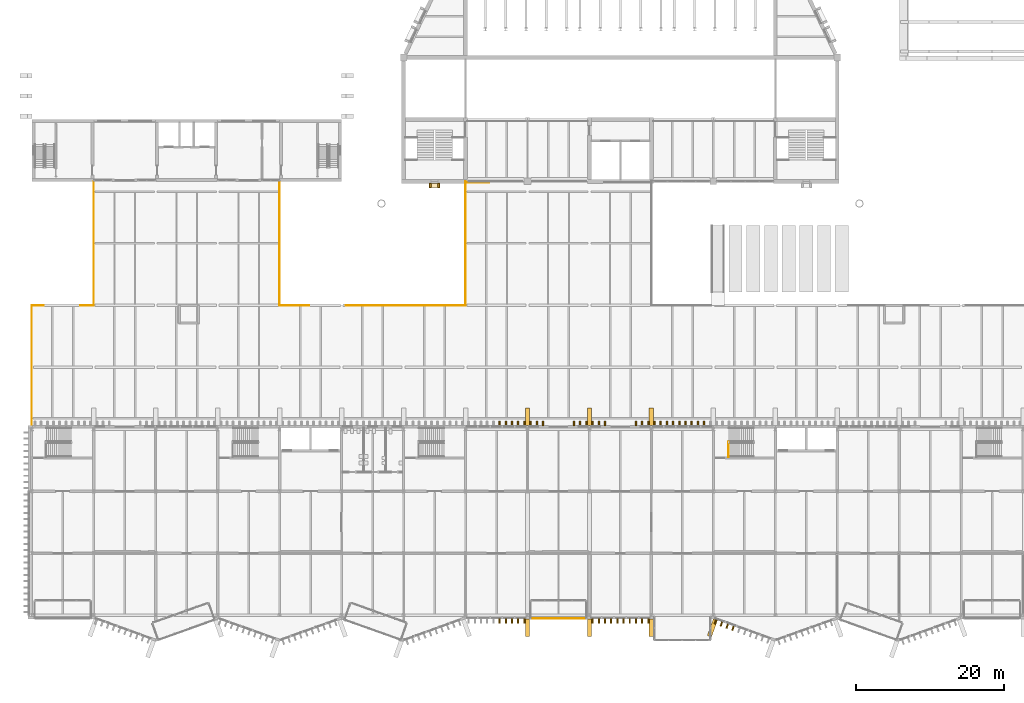
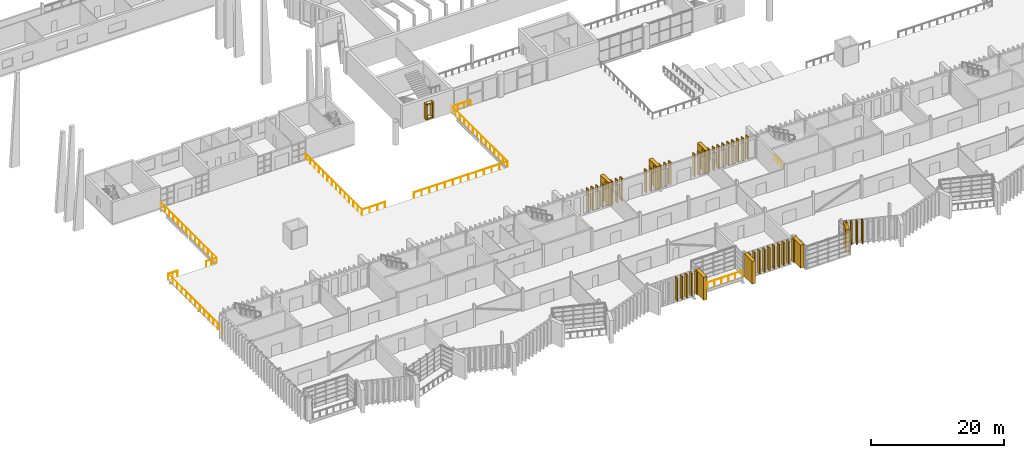
# One storey, part 82 of 96: 56 coverings, 11 railings.
"""IFC4 building model written with IfcOpenShell, lengths in metres."""

from ifc_helpers import new_model, si_unit, direction, frame, origin, origin_2d, place, context, subcontext, project, spatial, rectangle, circle, extrude, material, type_object, element, save


model = new_model("IFC4")

# Units and contexts
model_context = context("Model", 3, precision=1e-05, world=origin(), true_north=direction((0.0, 1.0)))
body_context = subcontext(model_context, "Body", "Model", "MODEL_VIEW")
ifc_project = project(units=[si_unit("LENGTHUNIT", "METRE"), si_unit("AREAUNIT", "SQUARE_METRE"), si_unit("VOLUMEUNIT", "CUBIC_METRE"), si_unit("PLANEANGLEUNIT", "RADIAN"), si_unit("MASSUNIT", "GRAM", prefix="KILO")], contexts=[model_context])

# Site, building, storey
site_placement = place(None, origin())
site = spatial("IfcSite", under=ifc_project, at=site_placement, CompositionType="ELEMENT")
building_placement = place(site_placement, origin())
building = spatial("IfcBuilding", under=site, at=building_placement, Name="Cresset Court Congress Hotel", CompositionType="ELEMENT")
storey_placement = place(building_placement, frame((0.0, 0.0, 6.0)))
storey = spatial("IfcBuildingStorey", under=building, at=storey_placement, Name="L01", CompositionType="ELEMENT", Elevation=6.0)

# Railings
ifc_material_1 = material(Name="Steel and laminated glass", Category="steel")
railing_type_1 = type_object("IfcRailingType", Name="Guard 1100 steel and glass", PredefinedType="GUARDRAIL", material=ifc_material_1)
railing_1_placement = place(storey_placement, frame((102.85009765625, 21.449951171875, 0.0)))
element("IfcRailing", 1, at=railing_1_placement, inside=storey, type_object=railing_type_1, Name="L01 ST-B4 stair guard 5", PredefinedType="GUARDRAIL", context=body_context, shape_type="SweptSolid", body=[
    extrude(circle(Radius=0.02392578125, at=origin_2d()), frame((0.0, 0.0, 1.076171875), z_axis=(0.0, 1.0, 0.0), x_axis=(-1.0, 0.0, 0.0)), (0.0, 0.0, 1.0), 2.050048828125),
    extrude(circle(Radius=0.02099609375, at=origin_2d()), origin(), (0.0, 0.0, 1.0), 1.052001953125),
    extrude(circle(Radius=0.02099609375, at=origin_2d()), frame((0.0, 1.02490234375, 0.0)), (0.0, 0.0, 1.0), 1.052001953125),
    extrude(circle(Radius=0.02099609375, at=origin_2d()), frame((0.0, 2.050048828125, 0.0)), (0.0, 0.0, 1.0), 1.052001953125),
])
ifc_material_2 = material(Name="Steel and laminated glass", Category="steel")
railing_type_2 = type_object("IfcRailingType", Name="Guard 1100 steel and glass external", PredefinedType="GUARDRAIL", material=ifc_material_2)
railing_2_placement = place(storey_placement, frame((8.39990234375, 42.0, 0.0)))
element("IfcRailing", 2, at=railing_2_placement, inside=storey, type_object=railing_type_2, Name="Deck guard 01", PredefinedType="GUARDRAIL", context=body_context, shape_type="SweptSolid", body=[
    extrude(circle(Radius=0.02490234375, at=origin_2d()), frame((0.0, 0.0, 1.0751953125), z_axis=(1.0, 0.0, 0.0), x_axis=(0.0, 1.0, 0.0)), (0.0, 0.0, 1.0), 1.60009765625),
    extrude(circle(Radius=0.02001953125, at=origin_2d()), origin(), (0.0, 0.0, 1.0), 1.050048828125),
    extrude(circle(Radius=0.02001953125, at=origin_2d()), frame((0.800048828125, 0.0, 0.0)), (0.0, 0.0, 1.0), 1.050048828125),
    extrude(circle(Radius=0.02001953125, at=origin_2d()), frame((1.60009765625, 0.0, 0.0)), (0.0, 0.0, 1.0), 1.050048828125),
])
railing_3_placement = place(storey_placement, frame((15.0, 42.0, 0.0)))
element("IfcRailing", 3, at=railing_3_placement, inside=storey, type_object=railing_type_2, Name="Deck guard 02", PredefinedType="GUARDRAIL", context=body_context, shape_type="SweptSolid", body=[
    extrude(circle(Radius=0.02490234375, at=origin_2d()), frame((0.0, 0.0, 1.0751953125), z_axis=(1.0, 0.0, 0.0), x_axis=(0.0, 1.0, 0.0)), (0.0, 0.0, 1.0), 1.800048828125),
    extrude(circle(Radius=0.02001953125, at=origin_2d()), origin(), (0.0, 0.0, 1.0), 1.050048828125),
    extrude(circle(Radius=0.02001953125, at=origin_2d()), frame((0.89990234375, 0.0, 0.0)), (0.0, 0.0, 1.0), 1.050048828125),
    extrude(circle(Radius=0.02001953125, at=origin_2d()), frame((1.800048828125, 0.0, 0.0)), (0.0, 0.0, 1.0), 1.050048828125),
])
railing_4_placement = place(storey_placement, frame((42.0, 42.0, 0.0)))
element("IfcRailing", 4, at=railing_4_placement, inside=storey, type_object=railing_type_2, Name="Deck guard 03", PredefinedType="GUARDRAIL", context=body_context, shape_type="SweptSolid", body=[
    extrude(circle(Radius=0.02490234375, at=origin_2d()), frame((0.0, 0.0, 1.0751953125), z_axis=(1.0, 0.0, 0.0), x_axis=(0.0, 1.0, 0.0)), (0.0, 0.0, 1.0), 4.0),
    extrude(circle(Radius=0.02001953125, at=origin_2d()), origin(), (0.0, 0.0, 1.0), 1.050048828125),
    extrude(circle(Radius=0.02001953125, at=origin_2d()), frame((1.333251953125, 0.0, 0.0)), (0.0, 0.0, 1.0), 1.050048828125),
    extrude(circle(Radius=0.02001953125, at=origin_2d()), frame((2.666748046875, 0.0, 0.0)), (0.0, 0.0, 1.0), 1.050048828125),
    extrude(circle(Radius=0.02001953125, at=origin_2d()), frame((4.0, 0.0, 0.0)), (0.0, 0.0, 1.0), 1.050048828125),
])
railing_5_placement = place(storey_placement, frame((51.0, 42.0, 0.0)))
element("IfcRailing", 5, at=railing_5_placement, inside=storey, type_object=railing_type_2, Name="Deck guard 04", PredefinedType="GUARDRAIL", context=body_context, shape_type="SweptSolid", body=[
    extrude(circle(Radius=0.02490234375, at=origin_2d()), frame((0.0, 0.0, 1.0751953125), z_axis=(1.0, 0.0, 0.0), x_axis=(0.0, 1.0, 0.0)), (0.0, 0.0, 1.0), 16.199951171875),
    extrude(circle(Radius=0.02001953125, at=origin_2d()), origin(), (0.0, 0.0, 1.0), 1.050048828125),
    extrude(circle(Radius=0.02001953125, at=origin_2d()), frame((1.35009765625, 0.0, 0.0)), (0.0, 0.0, 1.0), 1.050048828125),
    extrude(circle(Radius=0.02001953125, at=origin_2d()), frame((2.699951171875, 0.0, 0.0)), (0.0, 0.0, 1.0), 1.050048828125),
    extrude(circle(Radius=0.02001953125, at=origin_2d()), frame((4.050048828125, 0.0, 0.0)), (0.0, 0.0, 1.0), 1.050048828125),
    extrude(circle(Radius=0.02001953125, at=origin_2d()), frame((5.39990234375, 0.0, 0.0)), (0.0, 0.0, 1.0), 1.050048828125),
    extrude(circle(Radius=0.02001953125, at=origin_2d()), frame((6.75, 0.0, 0.0)), (0.0, 0.0, 1.0), 1.050048828125),
    extrude(circle(Radius=0.02001953125, at=origin_2d()), frame((8.10009765625, 0.0, 0.0)), (0.0, 0.0, 1.0), 1.050048828125),
    extrude(circle(Radius=0.02001953125, at=origin_2d()), frame((9.449951171875, 0.0, 0.0)), (0.0, 0.0, 1.0), 1.050048828125),
    extrude(circle(Radius=0.02001953125, at=origin_2d()), frame((10.800048828125, 0.0, 0.0)), (0.0, 0.0, 1.0), 1.050048828125),
    extrude(circle(Radius=0.02001953125, at=origin_2d()), frame((12.14990234375, 0.0, 0.0)), (0.0, 0.0, 1.0), 1.050048828125),
    extrude(circle(Radius=0.02001953125, at=origin_2d()), frame((13.5, 0.0, 0.0)), (0.0, 0.0, 1.0), 1.050048828125),
    extrude(circle(Radius=0.02001953125, at=origin_2d()), frame((14.849853515625, 0.0, 0.0)), (0.0, 0.0, 1.0), 1.050048828125),
    extrude(circle(Radius=0.02001953125, at=origin_2d()), frame((16.199951171875, 0.0, 0.0)), (0.0, 0.0, 1.0), 1.050048828125),
])
railing_6_placement = place(storey_placement, frame((8.39990234375, 42.0, 0.0)))
element("IfcRailing", 6, at=railing_6_placement, inside=storey, type_object=railing_type_2, Name="Deck guard 10", PredefinedType="GUARDRAIL", context=body_context, shape_type="SweptSolid", body=[
    extrude(circle(Radius=0.02490234375, at=origin_2d()), frame((0.0, 0.0, 1.0751953125), z_axis=(0.0, -1.0, 0.0), x_axis=(1.0, 0.0, 0.0)), (0.0, 0.0, 1.0), 16.300048828125),
    extrude(circle(Radius=0.02001953125, at=origin_2d()), origin(), (0.0, 0.0, 1.0), 1.050048828125),
    extrude(circle(Radius=0.02001953125, at=origin_2d()), frame((0.0, -1.3583984375, 0.0)), (0.0, 0.0, 1.0), 1.050048828125),
    extrude(circle(Radius=0.02001953125, at=origin_2d()), frame((0.0, -2.716796875, 0.0)), (0.0, 0.0, 1.0), 1.050048828125),
    extrude(circle(Radius=0.02001953125, at=origin_2d()), frame((0.0, -4.074951171875, 0.0)), (0.0, 0.0, 1.0), 1.050048828125),
    extrude(circle(Radius=0.02001953125, at=origin_2d()), frame((0.0, -5.433349609375, 0.0)), (0.0, 0.0, 1.0), 1.050048828125),
    extrude(circle(Radius=0.02001953125, at=origin_2d()), frame((0.0, -6.791748046875, 0.0)), (0.0, 0.0, 1.0), 1.050048828125),
    extrude(circle(Radius=0.02001953125, at=origin_2d()), frame((0.0, -8.14990234375, 0.0)), (0.0, 0.0, 1.0), 1.050048828125),
    extrude(circle(Radius=0.02001953125, at=origin_2d()), frame((0.0, -9.50830078125, 0.0)), (0.0, 0.0, 1.0), 1.050048828125),
    extrude(circle(Radius=0.02001953125, at=origin_2d()), frame((0.0, -10.86669921875, 0.0)), (0.0, 0.0, 1.0), 1.050048828125),
    extrude(circle(Radius=0.02001953125, at=origin_2d()), frame((0.0, -12.22509765625, 0.0)), (0.0, 0.0, 1.0), 1.050048828125),
    extrude(circle(Radius=0.02001953125, at=origin_2d()), frame((0.0, -13.58349609375, 0.0)), (0.0, 0.0, 1.0), 1.050048828125),
    extrude(circle(Radius=0.02001953125, at=origin_2d()), frame((0.0, -14.941650390625, 0.0)), (0.0, 0.0, 1.0), 1.050048828125),
    extrude(circle(Radius=0.02001953125, at=origin_2d()), frame((0.0, -16.300048828125, 0.0)), (0.0, 0.0, 1.0), 1.050048828125),
])
railing_7_placement = place(storey_placement, frame((16.800048828125, 42.0, 0.0)))
element("IfcRailing", 7, at=railing_7_placement, inside=storey, type_object=railing_type_2, Name="Deck guard 11", PredefinedType="GUARDRAIL", context=body_context, shape_type="SweptSolid", body=[
    extrude(circle(Radius=0.02490234375, at=origin_2d()), frame((0.0, 0.0, 1.0751953125), z_axis=(0.0, 1.0, 0.0), x_axis=(-1.0, 0.0, 0.0)), (0.0, 0.0, 1.0), 16.800048828125),
    extrude(circle(Radius=0.02001953125, at=origin_2d()), origin(), (0.0, 0.0, 1.0), 1.050048828125),
    extrude(circle(Radius=0.02001953125, at=origin_2d()), frame((0.0, 1.292236328125, 0.0)), (0.0, 0.0, 1.0), 1.050048828125),
    extrude(circle(Radius=0.02001953125, at=origin_2d()), frame((0.0, 2.584716796875, 0.0)), (0.0, 0.0, 1.0), 1.050048828125),
    extrude(circle(Radius=0.02001953125, at=origin_2d()), frame((0.0, 3.876953125, 0.0)), (0.0, 0.0, 1.0), 1.050048828125),
    extrude(circle(Radius=0.02001953125, at=origin_2d()), frame((0.0, 5.169189453125, 0.0)), (0.0, 0.0, 1.0), 1.050048828125),
    extrude(circle(Radius=0.02001953125, at=origin_2d()), frame((0.0, 6.461669921875, 0.0)), (0.0, 0.0, 1.0), 1.050048828125),
    extrude(circle(Radius=0.02001953125, at=origin_2d()), frame((0.0, 7.75390625, 0.0)), (0.0, 0.0, 1.0), 1.050048828125),
    extrude(circle(Radius=0.02001953125, at=origin_2d()), frame((0.0, 9.046142578125, 0.0)), (0.0, 0.0, 1.0), 1.050048828125),
    extrude(circle(Radius=0.02001953125, at=origin_2d()), frame((0.0, 10.33837890625, 0.0)), (0.0, 0.0, 1.0), 1.050048828125),
    extrude(circle(Radius=0.02001953125, at=origin_2d()), frame((0.0, 11.630859375, 0.0)), (0.0, 0.0, 1.0), 1.050048828125),
    extrude(circle(Radius=0.02001953125, at=origin_2d()), frame((0.0, 12.923095703125, 0.0)), (0.0, 0.0, 1.0), 1.050048828125),
    extrude(circle(Radius=0.02001953125, at=origin_2d()), frame((0.0, 14.21533203125, 0.0)), (0.0, 0.0, 1.0), 1.050048828125),
    extrude(circle(Radius=0.02001953125, at=origin_2d()), frame((0.0, 15.5078125, 0.0)), (0.0, 0.0, 1.0), 1.050048828125),
    extrude(circle(Radius=0.02001953125, at=origin_2d()), frame((0.0, 16.800048828125, 0.0)), (0.0, 0.0, 1.0), 1.050048828125),
])
railing_8_placement = place(storey_placement, frame((42.0, 42.0, 0.0)))
element("IfcRailing", 8, at=railing_8_placement, inside=storey, type_object=railing_type_2, Name="Deck guard 12", PredefinedType="GUARDRAIL", context=body_context, shape_type="SweptSolid", body=[
    extrude(circle(Radius=0.02490234375, at=origin_2d()), frame((0.0, 0.0, 1.0751953125), z_axis=(0.0, 1.0, 0.0), x_axis=(-1.0, 0.0, 0.0)), (0.0, 0.0, 1.0), 16.800048828125),
    extrude(circle(Radius=0.02001953125, at=origin_2d()), origin(), (0.0, 0.0, 1.0), 1.050048828125),
    extrude(circle(Radius=0.02001953125, at=origin_2d()), frame((0.0, 1.292236328125, 0.0)), (0.0, 0.0, 1.0), 1.050048828125),
    extrude(circle(Radius=0.02001953125, at=origin_2d()), frame((0.0, 2.584716796875, 0.0)), (0.0, 0.0, 1.0), 1.050048828125),
    extrude(circle(Radius=0.02001953125, at=origin_2d()), frame((0.0, 3.876953125, 0.0)), (0.0, 0.0, 1.0), 1.050048828125),
    extrude(circle(Radius=0.02001953125, at=origin_2d()), frame((0.0, 5.169189453125, 0.0)), (0.0, 0.0, 1.0), 1.050048828125),
    extrude(circle(Radius=0.02001953125, at=origin_2d()), frame((0.0, 6.461669921875, 0.0)), (0.0, 0.0, 1.0), 1.050048828125),
    extrude(circle(Radius=0.02001953125, at=origin_2d()), frame((0.0, 7.75390625, 0.0)), (0.0, 0.0, 1.0), 1.050048828125),
    extrude(circle(Radius=0.02001953125, at=origin_2d()), frame((0.0, 9.046142578125, 0.0)), (0.0, 0.0, 1.0), 1.050048828125),
    extrude(circle(Radius=0.02001953125, at=origin_2d()), frame((0.0, 10.33837890625, 0.0)), (0.0, 0.0, 1.0), 1.050048828125),
    extrude(circle(Radius=0.02001953125, at=origin_2d()), frame((0.0, 11.630859375, 0.0)), (0.0, 0.0, 1.0), 1.050048828125),
    extrude(circle(Radius=0.02001953125, at=origin_2d()), frame((0.0, 12.923095703125, 0.0)), (0.0, 0.0, 1.0), 1.050048828125),
    extrude(circle(Radius=0.02001953125, at=origin_2d()), frame((0.0, 14.21533203125, 0.0)), (0.0, 0.0, 1.0), 1.050048828125),
    extrude(circle(Radius=0.02001953125, at=origin_2d()), frame((0.0, 15.5078125, 0.0)), (0.0, 0.0, 1.0), 1.050048828125),
    extrude(circle(Radius=0.02001953125, at=origin_2d()), frame((0.0, 16.800048828125, 0.0)), (0.0, 0.0, 1.0), 1.050048828125),
])
railing_9_placement = place(storey_placement, frame((67.199951171875, 42.0, 0.0)))
element("IfcRailing", 9, at=railing_9_placement, inside=storey, type_object=railing_type_2, Name="Deck guard 13", PredefinedType="GUARDRAIL", context=body_context, shape_type="SweptSolid", body=[
    extrude(circle(Radius=0.02490234375, at=origin_2d()), frame((0.0, 0.0, 1.0751953125), z_axis=(0.0, 1.0, 0.0), x_axis=(-1.0, 0.0, 0.0)), (0.0, 0.0, 1.0), 16.800048828125),
    extrude(circle(Radius=0.02001953125, at=origin_2d()), origin(), (0.0, 0.0, 1.0), 1.050048828125),
    extrude(circle(Radius=0.02001953125, at=origin_2d()), frame((0.0, 1.292236328125, 0.0)), (0.0, 0.0, 1.0), 1.050048828125),
    extrude(circle(Radius=0.02001953125, at=origin_2d()), frame((0.0, 2.584716796875, 0.0)), (0.0, 0.0, 1.0), 1.050048828125),
    extrude(circle(Radius=0.02001953125, at=origin_2d()), frame((0.0, 3.876953125, 0.0)), (0.0, 0.0, 1.0), 1.050048828125),
    extrude(circle(Radius=0.02001953125, at=origin_2d()), frame((0.0, 5.169189453125, 0.0)), (0.0, 0.0, 1.0), 1.050048828125),
    extrude(circle(Radius=0.02001953125, at=origin_2d()), frame((0.0, 6.461669921875, 0.0)), (0.0, 0.0, 1.0), 1.050048828125),
    extrude(circle(Radius=0.02001953125, at=origin_2d()), frame((0.0, 7.75390625, 0.0)), (0.0, 0.0, 1.0), 1.050048828125),
    extrude(circle(Radius=0.02001953125, at=origin_2d()), frame((0.0, 9.046142578125, 0.0)), (0.0, 0.0, 1.0), 1.050048828125),
    extrude(circle(Radius=0.02001953125, at=origin_2d()), frame((0.0, 10.33837890625, 0.0)), (0.0, 0.0, 1.0), 1.050048828125),
    extrude(circle(Radius=0.02001953125, at=origin_2d()), frame((0.0, 11.630859375, 0.0)), (0.0, 0.0, 1.0), 1.050048828125),
    extrude(circle(Radius=0.02001953125, at=origin_2d()), frame((0.0, 12.923095703125, 0.0)), (0.0, 0.0, 1.0), 1.050048828125),
    extrude(circle(Radius=0.02001953125, at=origin_2d()), frame((0.0, 14.21533203125, 0.0)), (0.0, 0.0, 1.0), 1.050048828125),
    extrude(circle(Radius=0.02001953125, at=origin_2d()), frame((0.0, 15.5078125, 0.0)), (0.0, 0.0, 1.0), 1.050048828125),
    extrude(circle(Radius=0.02001953125, at=origin_2d()), frame((0.0, 16.800048828125, 0.0)), (0.0, 0.0, 1.0), 1.050048828125),
])
railing_10_placement = place(storey_placement, frame((67.199951171875, 58.800048828125, 0.0)))
element("IfcRailing", 10, at=railing_10_placement, inside=storey, type_object=railing_type_2, Name="Deck guard 15", PredefinedType="GUARDRAIL", context=body_context, shape_type="SweptSolid", body=[
    extrude(circle(Radius=0.02490234375, at=origin_2d()), frame((0.0, 0.0, 1.0751953125), z_axis=(0.0, -1.0, 0.0), x_axis=(1.0, 0.0, 0.0)), (0.0, 0.0, 1.0), 0.150146484375),
    extrude(circle(Radius=0.02490234375, at=origin_2d()), frame((0.0, -0.150146484375, 1.0751953125), z_axis=(1.0, 0.0, 0.0), x_axis=(0.0, 1.0, 0.0)), (0.0, 0.0, 1.0), 3.199951171875),
    extrude(circle(Radius=0.02001953125, at=origin_2d()), origin(), (0.0, 0.0, 1.0), 1.050048828125),
    extrude(circle(Radius=0.02001953125, at=origin_2d()), frame((0.0, -0.150146484375, 0.0)), (0.0, 0.0, 1.0), 1.050048828125),
    extrude(circle(Radius=0.02001953125, at=origin_2d()), frame((1.066650390625, -0.150146484375, 0.0)), (0.0, 0.0, 1.0), 1.050048828125),
    extrude(circle(Radius=0.02001953125, at=origin_2d()), frame((2.13330078125, -0.150146484375, 0.0)), (0.0, 0.0, 1.0), 1.050048828125),
    extrude(circle(Radius=0.02001953125, at=origin_2d()), frame((3.199951171875, -0.150146484375, 0.0)), (0.0, 0.0, 1.0), 1.050048828125),
])
railing_11_placement = place(storey_placement, frame((76.199951171875, -0.449951171875, 0.0)))
element("IfcRailing", 11, at=railing_11_placement, inside=storey, type_object=railing_type_2, Name="Guard to recess S0109", PredefinedType="GUARDRAIL", context=body_context, shape_type="SweptSolid", body=[
    extrude(circle(Radius=0.02392578125, at=origin_2d()), frame((0.0, 0.0, 1.076171875), z_axis=(1.0, 0.0, 0.0), x_axis=(0.0, 1.0, 0.0)), (0.0, 0.0, 1.0), 7.199951171875),
    extrude(circle(Radius=0.02099609375, at=origin_2d()), origin(), (0.0, 0.0, 1.0), 1.052001953125),
    extrude(circle(Radius=0.02099609375, at=origin_2d()), frame((1.199951171875, 0.0, 0.0)), (0.0, 0.0, 1.0), 1.052001953125),
    extrude(circle(Radius=0.02099609375, at=origin_2d()), frame((2.39990234375, 0.0, 0.0)), (0.0, 0.0, 1.0), 1.052001953125),
    extrude(circle(Radius=0.02099609375, at=origin_2d()), frame((3.60009765625, 0.0, 0.0)), (0.0, 0.0, 1.0), 1.052001953125),
    extrude(circle(Radius=0.02099609375, at=origin_2d()), frame((4.800048828125, 0.0, 0.0)), (0.0, 0.0, 1.0), 1.052001953125),
    extrude(circle(Radius=0.02099609375, at=origin_2d()), frame((6.0, 0.0, 0.0)), (0.0, 0.0, 1.0), 1.052001953125),
    extrude(circle(Radius=0.02099609375, at=origin_2d()), frame((7.199951171875, 0.0, 0.0)), (0.0, 0.0, 1.0), 1.052001953125),
])

# Coverings
ifc_material_3 = material(Name="Precast concrete C50", Category="concrete")
covering_type_1 = type_object("IfcCoveringType", Name="Precast reveal frame member 250x600", PredefinedType="CLADDING", material=ifc_material_3)
for number, where, z_axis, x_axis, name in (
    (12, (63.574951171875, 58.25, 0.650146484375), (0.0, 0.0, 1.0), (1.0, 0.0, 0.0), "Reveal frame NC-01-C1a"),
    (13, (62.425048828125, 58.25, 0.650146484375), (0.0, 0.0, 1.0), (1.0, 0.0, 0.0), "Reveal frame NC-01-C1b"),
):
    element("IfcCovering", number, at=place(storey_placement, frame(where, z_axis=z_axis, x_axis=x_axis)), inside=storey, type_object=covering_type_1, Name=name, PredefinedType="CLADDING", context=body_context, shape_type="SweptSolid", body=[
        extrude(rectangle(XDim=0.25, YDim=0.60009765625, at=origin_2d()), origin(), (0.0, 0.0, 1.0), 2.89990234375),
    ])
for number, where, z_axis, x_axis, name in (
    (14, (63.0, 58.25, 3.300048828125), (0.0, 0.0, 1.0), (1.0, 0.0, 0.0), "Reveal frame NC-01-C1c"),
    (15, (63.0, 58.25, 0.64990234375), (0.0, 0.0, 1.0), (1.0, 0.0, 0.0), "Reveal frame NC-01-C1d"),
):
    element("IfcCovering", number, at=place(storey_placement, frame(where, z_axis=z_axis, x_axis=x_axis)), inside=storey, type_object=covering_type_1, Name=name, PredefinedType="CLADDING", context=body_context, shape_type="SweptSolid", body=[
        extrude(rectangle(XDim=0.89990234375, YDim=0.60009765625, at=origin_2d()), origin(), (0.0, 0.0, 1.0), 0.25),
    ])
ifc_material_4 = material(Name="Precast concrete C50", Category="concrete")
covering_type_2 = type_object("IfcCoveringType", Name="Precast stone fin 200x600 variant 1", PredefinedType="CLADDING", material=ifc_material_4)
for number, where, z_axis, x_axis, name in (
    (16, (101.09228515625, -0.92529296875, 0.0), (0.0, 0.0, 1.0), (0.939956783309, -0.341293488819, 0.0), "Fin S01-110"),
    (17, (101.8818359375, -1.2119140625, 0.0), (0.0, 0.0, 1.0), (0.939956783309, -0.341293488819, 0.0), "Fin S01-111"),
    (18, (102.671630859375, -1.498779296875, 0.0), (0.0, 0.0, 1.0), (0.939956783309, -0.341293488819, 0.0), "Fin S01-112"),
    (19, (103.461181640625, -1.785400390625, 0.0), (0.0, 0.0, 1.0), (0.939956783309, -0.341293488819, 0.0), "Fin S01-113"),
    (20, (71.820068359375, -0.800048828125, 0.0), (0.0, 0.0, 1.0), (1.0, 0.0, 0.0), "Fin S01-075"),
    (21, (72.659912109375, -0.800048828125, 0.0), (0.0, 0.0, 1.0), (1.0, 0.0, 0.0), "Fin S01-076"),
    (22, (73.5, -0.800048828125, 0.0), (0.0, 0.0, 1.0), (1.0, 0.0, 0.0), "Fin S01-077"),
    (23, (74.340087890625, -0.800048828125, 0.0), (0.0, 0.0, 1.0), (1.0, 0.0, 0.0), "Fin S01-078"),
    (24, (75.179931640625, -0.800048828125, 0.0), (0.0, 0.0, 1.0), (1.0, 0.0, 0.0), "Fin S01-079"),
    (25, (84.419921875, -0.800048828125, 0.0), (0.0, 0.0, 1.0), (1.0, 0.0, 0.0), "Fin S01-090"),
    (26, (85.260009765625, -0.800048828125, 0.0), (0.0, 0.0, 1.0), (1.0, 0.0, 0.0), "Fin S01-091"),
    (27, (86.10009765625, -0.800048828125, 0.0), (0.0, 0.0, 1.0), (1.0, 0.0, 0.0), "Fin S01-092"),
    (28, (86.93994140625, -0.800048828125, 0.0), (0.0, 0.0, 1.0), (1.0, 0.0, 0.0), "Fin S01-093"),
    (29, (87.780029296875, -0.800048828125, 0.0), (0.0, 0.0, 1.0), (1.0, 0.0, 0.0), "Fin S01-094"),
    (30, (88.6201171875, -0.800048828125, 0.0), (0.0, 0.0, 1.0), (1.0, 0.0, 0.0), "Fin S01-095"),
    (31, (89.4599609375, -0.800048828125, 0.0), (0.0, 0.0, 1.0), (1.0, 0.0, 0.0), "Fin S01-096"),
    (32, (90.300048828125, -0.800048828125, 0.0), (0.0, 0.0, 1.0), (1.0, 0.0, 0.0), "Fin S01-097"),
    (33, (91.139892578125, -0.800048828125, 0.0), (0.0, 0.0, 1.0), (1.0, 0.0, 0.0), "Fin S01-098"),
    (34, (91.97998046875, -0.800048828125, 0.0), (0.0, 0.0, 1.0), (1.0, 0.0, 0.0), "Fin S01-099"),
    (35, (71.820068359375, 26.0, 0.0), (0.0, 0.0, 1.0), (1.0, 0.0, 0.0), "Fin N01-075"),
    (36, (72.659912109375, 26.0, 0.0), (0.0, 0.0, 1.0), (1.0, 0.0, 0.0), "Fin N01-076"),
    (37, (73.5, 26.0, 0.0), (0.0, 0.0, 1.0), (1.0, 0.0, 0.0), "Fin N01-077"),
    (38, (74.340087890625, 26.0, 0.0), (0.0, 0.0, 1.0), (1.0, 0.0, 0.0), "Fin N01-078"),
    (39, (75.179931640625, 26.0, 0.0), (0.0, 0.0, 1.0), (1.0, 0.0, 0.0), "Fin N01-079"),
    (40, (76.02001953125, 26.0, 0.0), (0.0, 0.0, 1.0), (1.0, 0.0, 0.0), "Fin N01-080"),
    (41, (76.860107421875, 26.0, 0.0), (0.0, 0.0, 1.0), (1.0, 0.0, 0.0), "Fin N01-081"),
    (42, (77.699951171875, 26.0, 0.0), (0.0, 0.0, 1.0), (1.0, 0.0, 0.0), "Fin N01-082"),
    (43, (81.89990234375, 26.0, 0.0), (0.0, 0.0, 1.0), (1.0, 0.0, 0.0), "Fin N01-087"),
    (44, (82.739990234375, 26.0, 0.0), (0.0, 0.0, 1.0), (1.0, 0.0, 0.0), "Fin N01-088"),
    (45, (83.580078125, 26.0, 0.0), (0.0, 0.0, 1.0), (1.0, 0.0, 0.0), "Fin N01-089"),
    (46, (84.419921875, 26.0, 0.0), (0.0, 0.0, 1.0), (1.0, 0.0, 0.0), "Fin N01-090"),
    (47, (85.260009765625, 26.0, 0.0), (0.0, 0.0, 1.0), (1.0, 0.0, 0.0), "Fin N01-091"),
    (48, (86.10009765625, 26.0, 0.0), (0.0, 0.0, 1.0), (1.0, 0.0, 0.0), "Fin N01-092"),
    (49, (90.300048828125, 26.0, 0.0), (0.0, 0.0, 1.0), (1.0, 0.0, 0.0), "Fin N01-097"),
    (50, (91.139892578125, 26.0, 0.0), (0.0, 0.0, 1.0), (1.0, 0.0, 0.0), "Fin N01-098"),
    (51, (91.97998046875, 26.0, 0.0), (0.0, 0.0, 1.0), (1.0, 0.0, 0.0), "Fin N01-099"),
    (52, (92.820068359375, 26.0, 0.0), (0.0, 0.0, 1.0), (1.0, 0.0, 0.0), "Fin N01-100"),
    (53, (93.659912109375, 26.0, 0.0), (0.0, 0.0, 1.0), (1.0, 0.0, 0.0), "Fin N01-101"),
    (54, (94.5, 26.0, 0.0), (0.0, 0.0, 1.0), (1.0, 0.0, 0.0), "Fin N01-102"),
    (55, (95.340087890625, 26.0, 0.0), (0.0, 0.0, 1.0), (1.0, 0.0, 0.0), "Fin N01-103"),
    (56, (96.179931640625, 26.0, 0.0), (0.0, 0.0, 1.0), (1.0, 0.0, 0.0), "Fin N01-104"),
    (57, (97.02001953125, 26.0, 0.0), (0.0, 0.0, 1.0), (1.0, 0.0, 0.0), "Fin N01-105"),
    (58, (97.860107421875, 26.0, 0.0), (0.0, 0.0, 1.0), (1.0, 0.0, 0.0), "Fin N01-106"),
    (59, (98.699951171875, 26.0, 0.0), (0.0, 0.0, 1.0), (1.0, 0.0, 0.0), "Fin N01-107"),
    (60, (99.5400390625, 26.0, 0.0), (0.0, 0.0, 1.0), (1.0, 0.0, 0.0), "Fin N01-108"),
):
    element("IfcCovering", number, at=place(storey_placement, frame(where, z_axis=z_axis, x_axis=x_axis)), inside=storey, type_object=covering_type_2, Name=name, PredefinedType="CLADDING", context=body_context, shape_type="SweptSolid", body=[
        extrude(rectangle(XDim=0.199951171875, YDim=0.60009765625, at=origin_2d()), origin(), (0.0, 0.0, 1.0), 4.199951171875),
    ])
ifc_material_5 = material(Name="Precast concrete C50", Category="concrete")
covering_type_3 = type_object("IfcCoveringType", Name="Precast stone pier 600x2400", PredefinedType="CLADDING", material=ifc_material_5)
for number, where, z_axis, x_axis, name in (
    (61, (100.67236328125, -1.730224609375, 0.0), (0.0, 0.0, 1.0), (0.939956783309, -0.341293488819, 0.0), "Pier S01-11"),
    (62, (75.60009765625, -1.699951171875, 0.0), (0.0, 0.0, 1.0), (1.0, 0.0, 0.0), "Pier S01-08"),
    (63, (84.0, -1.699951171875, 0.0), (0.0, 0.0, 1.0), (1.0, 0.0, 0.0), "Pier S01-09"),
    (64, (92.39990234375, -1.699951171875, 0.0), (0.0, 0.0, 1.0), (1.0, 0.0, 0.0), "Pier S01-10"),
    (65, (75.60009765625, 26.89990234375, 0.0), (0.0, 0.0, 1.0), (1.0, 0.0, 0.0), "Pier N01-08"),
    (66, (84.0, 26.89990234375, 0.0), (0.0, 0.0, 1.0), (1.0, 0.0, 0.0), "Pier N01-09"),
    (67, (92.39990234375, 26.89990234375, 0.0), (0.0, 0.0, 1.0), (1.0, 0.0, 0.0), "Pier N01-10"),
):
    element("IfcCovering", number, at=place(storey_placement, frame(where, z_axis=z_axis, x_axis=x_axis)), inside=storey, type_object=covering_type_3, Name=name, PredefinedType="CLADDING", context=body_context, shape_type="SweptSolid", body=[
        extrude(rectangle(XDim=0.60009765625, YDim=2.39990234375, at=origin_2d()), origin(), (0.0, 0.0, 1.0), 4.199951171875),
    ])

save(model, "model.ifc")
